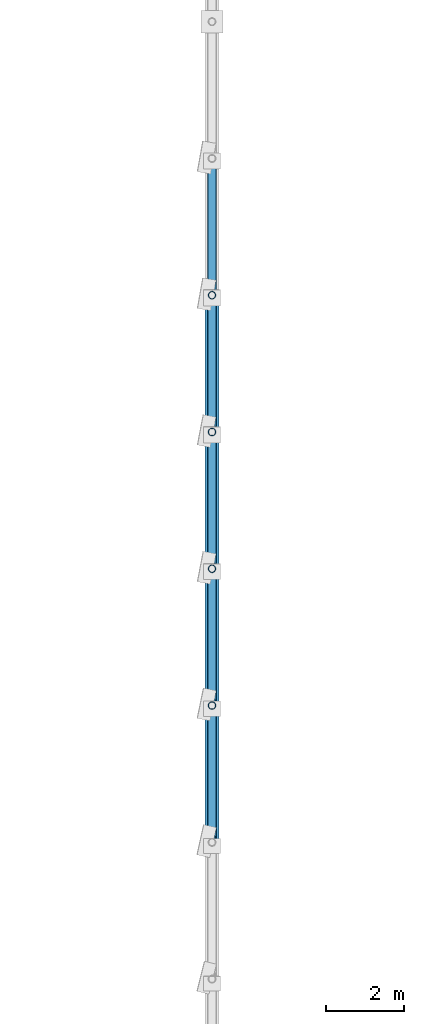
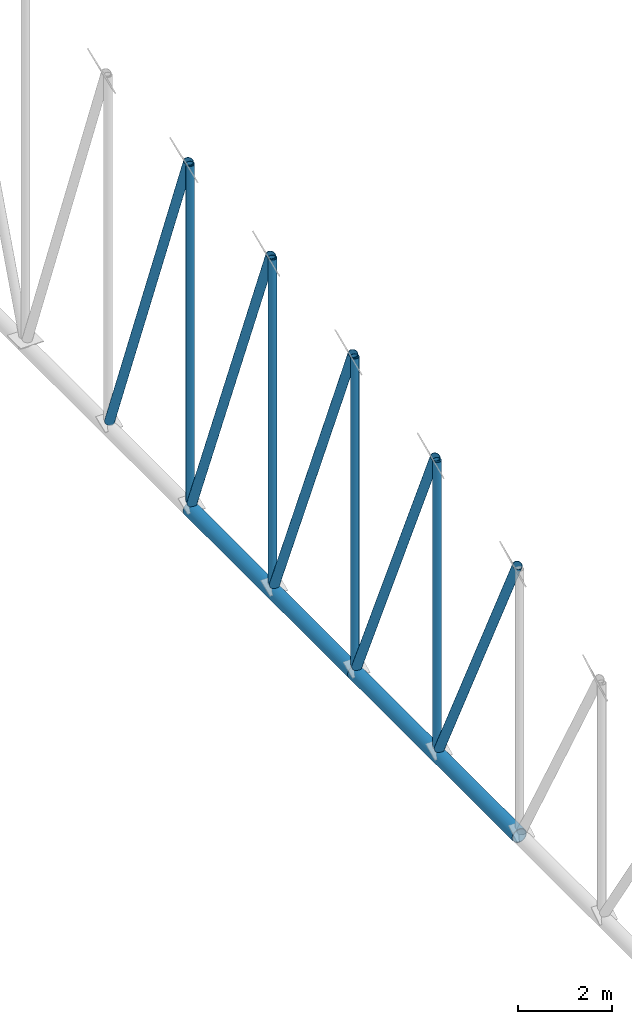
# One storey, part 59 of 196: 11 members.
"""IFC4 building model written with IfcOpenShell, lengths in metres."""

from ifc_helpers import new_model, si_unit, direction, frame, origin, origin_2d, place, context, subcontext, project, spatial, hollow_circle, extrude, material, material_profile, profile_set, type_object, element, save


model = new_model("IFC4")

# Units and contexts
model_context = context("Model", 3, precision=1e-05, world=origin(), true_north=direction((0.0, 1.0)))
body_context = subcontext(model_context, "Body", "Model", "MODEL_VIEW")
ifc_project = project(units=[si_unit("LENGTHUNIT", "METRE"), si_unit("AREAUNIT", "SQUARE_METRE"), si_unit("VOLUMEUNIT", "CUBIC_METRE"), si_unit("PLANEANGLEUNIT", "RADIAN"), si_unit("MASSUNIT", "GRAM", prefix="KILO")], contexts=[model_context])

# Site, building, storey
site_placement = place(None, origin())
site = spatial("IfcSite", under=ifc_project, at=site_placement, CompositionType="ELEMENT")
building_placement = place(site_placement, origin())
building = spatial("IfcBuilding", under=site, at=building_placement, Name="Okhra Congress Centre", CompositionType="ELEMENT")
storey_placement = place(building_placement, frame((0.0, 0.0, 12.0)))
storey = spatial("IfcBuildingStorey", under=building, at=storey_placement, Name="L02", CompositionType="ELEMENT", Elevation=12.0)

# Members
ifc_material = material(Name="Steel S355J2H", Category="steel")
ifc_material_profile_1 = material_profile(ifc_material, hollow_circle(Radius=0.096923828125, WallThickness=0.008056640625, at=origin_2d()), Name="CHS 193.7x8.0")
ifc_profile_set_1 = profile_set([ifc_material_profile_1], Name="Steel S355J2H")
member_type_1 = type_object("IfcMemberType", Name="CHS 193.7x8.0", PredefinedType="POST", material=ifc_profile_set_1)
member_1_placement = place(storey_placement, frame((46.0, 156.5, 1.577880859375), z_axis=(0.0, 0.0, 1.0), x_axis=(1.0, 0.0, 0.0)))
element("IfcMember", 1, at=member_1_placement, inside=storey, type_object=member_type_1, Name="EH.MEM.L02.T2-VER-07", PredefinedType="POST", context=body_context, shape_type="SweptSolid", body=[
    extrude(hollow_circle(Radius=0.096923828125, WallThickness=0.008056640625, at=origin_2d()), origin(), (0.0, 0.0, 1.0), 7.448974609375),
])
member_2_placement = place(storey_placement, frame((46.0, 160.0, 1.577880859375), z_axis=(0.0, 0.0, 1.0), x_axis=(1.0, 0.0, 0.0)))
element("IfcMember", 2, at=member_2_placement, inside=storey, type_object=member_type_1, Name="EH.MEM.L02.T2-VER-08", PredefinedType="POST", context=body_context, shape_type="SweptSolid", body=[
    extrude(hollow_circle(Radius=0.096923828125, WallThickness=0.008056640625, at=origin_2d()), origin(), (0.0, 0.0, 1.0), 8.01708984375),
])
member_3_placement = place(storey_placement, frame((46.0, 163.5, 1.577880859375), z_axis=(0.0, 0.0, 1.0), x_axis=(1.0, 0.0, 0.0)))
element("IfcMember", 3, at=member_3_placement, inside=storey, type_object=member_type_1, Name="EH.MEM.L02.T2-VER-09", PredefinedType="POST", context=body_context, shape_type="SweptSolid", body=[
    extrude(hollow_circle(Radius=0.096923828125, WallThickness=0.008056640625, at=origin_2d()), origin(), (0.0, 0.0, 1.0), 8.456787109375),
])
member_4_placement = place(storey_placement, frame((46.0, 167.0, 1.577880859375), z_axis=(0.0, 0.0, 1.0), x_axis=(1.0, 0.0, 0.0)))
element("IfcMember", 4, at=member_4_placement, inside=storey, type_object=member_type_1, Name="EH.MEM.L02.T2-VER-10", PredefinedType="POST", context=body_context, shape_type="SweptSolid", body=[
    extrude(hollow_circle(Radius=0.096923828125, WallThickness=0.008056640625, at=origin_2d()), origin(), (0.0, 0.0, 1.0), 8.76953125),
])
ifc_material_profile_2 = material_profile(ifc_material, hollow_circle(Radius=0.109619140625, WallThickness=0.010009765625, at=origin_2d()), Name="CHS 219.1x10.0")
ifc_profile_set_2 = profile_set([ifc_material_profile_2], Name="Steel S355J2H")
member_type_2 = type_object("IfcMemberType", Name="CHS 219.1x10.0", PredefinedType="BRACE", material=ifc_profile_set_2)
member_5_placement = place(storey_placement, frame((46.0, 153.083740234375, 8.365234375), z_axis=(0.0, 0.440367038805, -0.897817838503), x_axis=(-1.0, 0.0, 0.0)))
element("IfcMember", 5, at=member_5_placement, inside=storey, type_object=member_type_2, Name="EH.MEM.L02.T2-DIA-06", PredefinedType="BRACE", context=body_context, shape_type="SweptSolid", body=[
    extrude(hollow_circle(Radius=0.109619140625, WallThickness=0.010009765625, at=origin_2d()), origin(), (0.0, 0.0, 1.0), 7.559814453125),
])
member_6_placement = place(storey_placement, frame((46.0, 156.57763671875, 9.0595703125), z_axis=(0.0, 0.407953800593, -0.913002572057), x_axis=(-1.0, 0.0, 0.0)))
element("IfcMember", 6, at=member_6_placement, inside=storey, type_object=member_type_2, Name="EH.MEM.L02.T2-DIA-07", PredefinedType="BRACE", context=body_context, shape_type="SweptSolid", body=[
    extrude(hollow_circle(Radius=0.109619140625, WallThickness=0.010009765625, at=origin_2d()), origin(), (0.0, 0.0, 1.0), 8.194580078125),
])
member_7_placement = place(storey_placement, frame((46.0, 160.073486328125, 9.6240234375), z_axis=(0.0, 0.384613395842, -0.92307775173), x_axis=(-1.0, 0.0, 0.0)))
element("IfcMember", 7, at=member_7_placement, inside=storey, type_object=member_type_2, Name="EH.MEM.L02.T2-DIA-08", PredefinedType="BRACE", context=body_context, shape_type="SweptSolid", body=[
    extrude(hollow_circle(Radius=0.109619140625, WallThickness=0.010009765625, at=origin_2d()), origin(), (0.0, 0.0, 1.0), 8.716552734375),
])
member_8_placement = place(storey_placement, frame((46.0, 163.570556640625, 10.060546875), z_axis=(0.0, 0.368181952794, -0.929753757528), x_axis=(-1.0, 0.0, 0.0)))
element("IfcMember", 8, at=member_8_placement, inside=storey, type_object=member_type_2, Name="EH.MEM.L02.T2-DIA-09", PredefinedType="BRACE", context=body_context, shape_type="SweptSolid", body=[
    extrude(hollow_circle(Radius=0.109619140625, WallThickness=0.010009765625, at=origin_2d()), origin(), (0.0, 0.0, 1.0), 9.12353515625),
])
member_9_placement = place(storey_placement, frame((46.0, 167.069091796875, 10.37060546875), z_axis=(0.0, 0.357217988255, -0.934021043054), x_axis=(-1.0, 0.0, 0.0)))
element("IfcMember", 9, at=member_9_placement, inside=storey, type_object=member_type_2, Name="EH.MEM.L02.T2-DIA-10", PredefinedType="BRACE", context=body_context, shape_type="SweptSolid", body=[
    extrude(hollow_circle(Radius=0.109619140625, WallThickness=0.010009765625, at=origin_2d()), origin(), (0.0, 0.0, 1.0), 9.413818359375),
])
ifc_material_profile_3 = material_profile(ifc_material, hollow_circle(Radius=0.177734375, WallThickness=0.01611328125, at=origin_2d()), Name="CHS 355.6x16.0")
ifc_profile_set_3 = profile_set([ifc_material_profile_3], Name="Steel S355J2H")
member_type_3 = type_object("IfcMemberType", Name="CHS 355.6x16.0", PredefinedType="CHORD", material=ifc_profile_set_3)
member_10_placement = place(storey_placement, frame((46.0, 153.0, 1.39990234375), z_axis=(0.0, 1.0, 0.0), x_axis=(-1.0, 0.0, 0.0)))
element("IfcMember", 10, at=member_10_placement, inside=storey, type_object=member_type_3, Name="EH.MEM.L02.T2-BOT-04", PredefinedType="CHORD", context=body_context, shape_type="SweptSolid", body=[
    extrude(hollow_circle(Radius=0.177734375, WallThickness=0.01611328125, at=origin_2d()), origin(), (0.0, 0.0, 1.0), 7.0),
])
ifc_material_profile_4 = material_profile(ifc_material, hollow_circle(Radius=0.177734375, WallThickness=0.02001953125, at=origin_2d()), Name="CHS 355.6x20.0")
ifc_profile_set_4 = profile_set([ifc_material_profile_4], Name="Steel S355J2H")
member_type_4 = type_object("IfcMemberType", Name="CHS 355.6x20.0", PredefinedType="CHORD", material=ifc_profile_set_4)
member_11_placement = place(storey_placement, frame((46.0, 160.0, 1.39990234375), z_axis=(0.0, 1.0, 0.0), x_axis=(-1.0, 0.0, 0.0)))
element("IfcMember", 11, at=member_11_placement, inside=storey, type_object=member_type_4, Name="EH.MEM.L02.T2-BOT-05", PredefinedType="CHORD", context=body_context, shape_type="SweptSolid", body=[
    extrude(hollow_circle(Radius=0.177734375, WallThickness=0.02001953125, at=origin_2d()), origin(), (0.0, 0.0, 1.0), 7.0),
])

save(model, "model.ifc")
